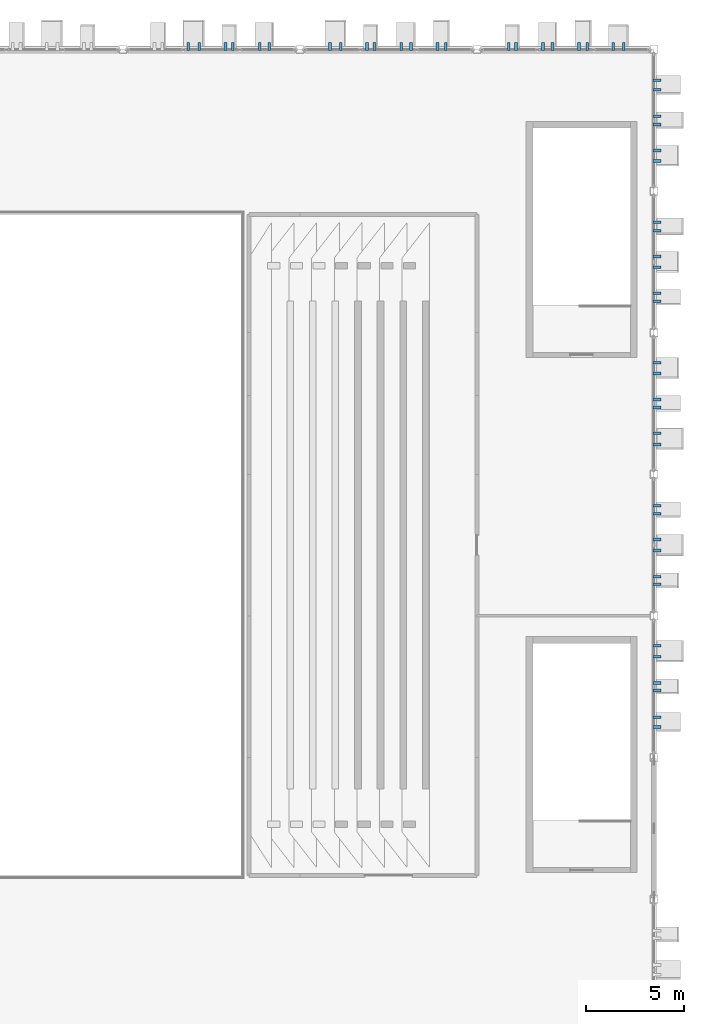
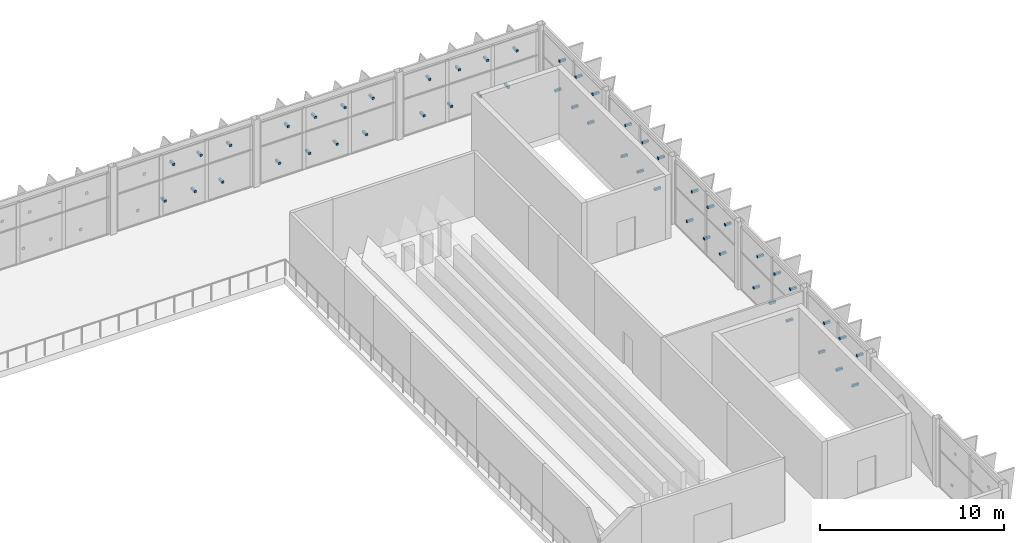
# One storey, part 128 of 151: 52 discrete accessories.
"""IFC4 building model written with IfcOpenShell, lengths in metres."""

from ifc_helpers import new_model, si_unit, direction, frame, origin, origin_2d, place, context, subcontext, project, spatial, rectangle, extrude, material, type_object, element, save


model = new_model("IFC4")

# Units and contexts
model_context = context("Model", 3, precision=1e-05, world=origin(), true_north=direction((0.0, 1.0)))
body_context = subcontext(model_context, "Body", "Model", "MODEL_VIEW")
ifc_project = project(units=[si_unit("LENGTHUNIT", "METRE"), si_unit("AREAUNIT", "SQUARE_METRE"), si_unit("VOLUMEUNIT", "CUBIC_METRE"), si_unit("PLANEANGLEUNIT", "RADIAN"), si_unit("MASSUNIT", "GRAM", prefix="KILO")], contexts=[model_context])

# Site, building, storey
site_placement = place(None, origin())
site = spatial("IfcSite", under=ifc_project, at=site_placement, CompositionType="ELEMENT")
building_placement = place(site_placement, origin())
building = spatial("IfcBuilding", under=site, at=building_placement, Name="Celestram Park Convention Centre", CompositionType="ELEMENT")
storey_placement = place(building_placement, frame((0.0, 0.0, 10.800048828125)))
storey = spatial("IfcBuildingStorey", under=building, at=storey_placement, Name="L02", CompositionType="ELEMENT", Elevation=10.800048828125)

# Discrete accessories
ifc_material = material(Name="Steel ASTM A500 Grade C", Category="steel")
discrete_accessory_type = type_object("IfcDiscreteAccessoryType", Name="ARC-BRK-OUT400", PredefinedType="BRACKET", material=ifc_material)
for number, where, z_axis, x_axis, name in (
    (1, (192.323974609375, 165.75, 0.8779296875), (0.0, 0.0, 1.0), (0.0, 1.0, 0.0), "Solar fin outrigger bracket BK-L02-1041"),
    (2, (192.876220703125, 165.75, 3.1259765625), (0.0, 0.0, 1.0), (0.0, 1.0, 0.0), "Solar fin outrigger bracket BK-L02-1042"),
    (3, (194.21484375, 165.75, 0.859375), (0.0, 0.0, 1.0), (0.0, 1.0, 0.0), "Solar fin outrigger bracket BK-L02-1043"),
    (4, (194.585205078125, 165.75, 3.14453125), (0.0, 0.0, 1.0), (0.0, 1.0, 0.0), "Solar fin outrigger bracket BK-L02-1044"),
    (5, (195.95751953125, 165.75, 0.8701171875), (0.0, 0.0, 1.0), (0.0, 1.0, 0.0), "Solar fin outrigger bracket BK-L02-1045"),
    (6, (196.442626953125, 165.75, 3.1337890625), (0.0, 0.0, 1.0), (0.0, 1.0, 0.0), "Solar fin outrigger bracket BK-L02-1046"),
    (7, (199.52392578125, 165.75, 0.8779296875), (0.0, 0.0, 1.0), (0.0, 1.0, 0.0), "Solar fin outrigger bracket BK-L02-1047"),
    (8, (200.076171875, 165.75, 3.1259765625), (0.0, 0.0, 1.0), (0.0, 1.0, 0.0), "Solar fin outrigger bracket BK-L02-1048"),
    (9, (201.414794921875, 165.75, 0.859375), (0.0, 0.0, 1.0), (0.0, 1.0, 0.0), "Solar fin outrigger bracket BK-L02-1049"),
    (10, (201.78515625, 165.75, 3.14453125), (0.0, 0.0, 1.0), (0.0, 1.0, 0.0), "Solar fin outrigger bracket BK-L02-1050"),
    (11, (203.157470703125, 165.75, 0.8701171875), (0.0, 0.0, 1.0), (0.0, 1.0, 0.0), "Solar fin outrigger bracket BK-L02-1051"),
    (12, (203.642578125, 165.75, 3.1337890625), (0.0, 0.0, 1.0), (0.0, 1.0, 0.0), "Solar fin outrigger bracket BK-L02-1052"),
    (13, (204.990966796875, 165.75, 0.86328125), (0.0, 0.0, 1.0), (0.0, 1.0, 0.0), "Solar fin outrigger bracket BK-L02-1053"),
    (14, (205.408935546875, 165.75, 3.140625), (0.0, 0.0, 1.0), (0.0, 1.0, 0.0), "Solar fin outrigger bracket BK-L02-1054"),
    (15, (208.614990234375, 165.75, 0.859375), (0.0, 0.0, 1.0), (0.0, 1.0, 0.0), "Solar fin outrigger bracket BK-L02-1055"),
    (16, (208.985107421875, 165.75, 3.14453125), (0.0, 0.0, 1.0), (0.0, 1.0, 0.0), "Solar fin outrigger bracket BK-L02-1056"),
    (17, (210.357421875, 165.75, 0.8701171875), (0.0, 0.0, 1.0), (0.0, 1.0, 0.0), "Solar fin outrigger bracket BK-L02-1057"),
    (18, (210.842529296875, 165.75, 3.1337890625), (0.0, 0.0, 1.0), (0.0, 1.0, 0.0), "Solar fin outrigger bracket BK-L02-1058"),
    (19, (212.19091796875, 165.75, 0.86328125), (0.0, 0.0, 1.0), (0.0, 1.0, 0.0), "Solar fin outrigger bracket BK-L02-1059"),
    (20, (212.60888671875, 165.75, 3.140625), (0.0, 0.0, 1.0), (0.0, 1.0, 0.0), "Solar fin outrigger bracket BK-L02-1060"),
    (21, (213.931640625, 165.75, 0.8759765625), (0.0, 0.0, 1.0), (0.0, 1.0, 0.0), "Solar fin outrigger bracket BK-L02-1061"),
    (22, (214.46826171875, 165.75, 3.1279296875), (0.0, 0.0, 1.0), (0.0, 1.0, 0.0), "Solar fin outrigger bracket BK-L02-1062"),
    (23, (216.14990234375, 164.04248046875, 0.8701171875), (0.0, 0.0, 1.0), (1.0, 0.0, 0.0), "Solar fin outrigger bracket BK-L02-1063"),
    (24, (216.14990234375, 163.557373046875, 3.1337890625), (0.0, 0.0, 1.0), (1.0, 0.0, 0.0), "Solar fin outrigger bracket BK-L02-1064"),
    (25, (216.14990234375, 162.208984375, 0.86328125), (0.0, 0.0, 1.0), (1.0, 0.0, 0.0), "Solar fin outrigger bracket BK-L02-1065"),
    (26, (216.14990234375, 161.791015625, 3.140625), (0.0, 0.0, 1.0), (1.0, 0.0, 0.0), "Solar fin outrigger bracket BK-L02-1066"),
    (27, (216.14990234375, 160.46826171875, 0.8759765625), (0.0, 0.0, 1.0), (1.0, 0.0, 0.0), "Solar fin outrigger bracket BK-L02-1067"),
    (28, (216.14990234375, 159.931640625, 3.1279296875), (0.0, 0.0, 1.0), (1.0, 0.0, 0.0), "Solar fin outrigger bracket BK-L02-1068"),
    (29, (216.14990234375, 156.812744140625, 0.88037109375), (0.0, 0.0, 1.0), (1.0, 0.0, 0.0), "Solar fin outrigger bracket BK-L02-1069"),
    (30, (216.14990234375, 156.38720703125, 3.19921875), (0.0, 0.0, 1.0), (1.0, 0.0, 0.0), "Solar fin outrigger bracket BK-L02-1070"),
    (31, (216.14990234375, 155.0732421875, 0.89306640625), (0.0, 0.0, 1.0), (1.0, 0.0, 0.0), "Solar fin outrigger bracket BK-L02-1071"),
    (32, (216.14990234375, 154.52685546875, 3.1865234375), (0.0, 0.0, 1.0), (1.0, 0.0, 0.0), "Solar fin outrigger bracket BK-L02-1072"),
    (33, (216.14990234375, 153.20068359375, 0.87841796875), (0.0, 0.0, 1.0), (1.0, 0.0, 0.0), "Solar fin outrigger bracket BK-L02-1073"),
    (34, (216.14990234375, 152.79931640625, 3.20166015625), (0.0, 0.0, 1.0), (1.0, 0.0, 0.0), "Solar fin outrigger bracket BK-L02-1074"),
    (35, (216.14990234375, 149.673095703125, 0.89306640625), (0.0, 0.0, 1.0), (1.0, 0.0, 0.0), "Solar fin outrigger bracket BK-L02-1075"),
    (36, (216.14990234375, 149.126708984375, 3.1865234375), (0.0, 0.0, 1.0), (1.0, 0.0, 0.0), "Solar fin outrigger bracket BK-L02-1076"),
    (37, (216.14990234375, 147.800537109375, 0.87841796875), (0.0, 0.0, 1.0), (1.0, 0.0, 0.0), "Solar fin outrigger bracket BK-L02-1077"),
    (38, (216.14990234375, 147.3994140625, 3.20166015625), (0.0, 0.0, 1.0), (1.0, 0.0, 0.0), "Solar fin outrigger bracket BK-L02-1078"),
    (39, (216.14990234375, 146.081298828125, 0.89501953125), (0.0, 0.0, 1.0), (1.0, 0.0, 0.0), "Solar fin outrigger bracket BK-L02-1079"),
    (40, (216.14990234375, 145.518798828125, 3.1845703125), (0.0, 0.0, 1.0), (1.0, 0.0, 0.0), "Solar fin outrigger bracket BK-L02-1080"),
    (41, (216.14990234375, 142.400634765625, 0.87841796875), (0.0, 0.0, 1.0), (1.0, 0.0, 0.0), "Solar fin outrigger bracket BK-L02-1081"),
    (42, (216.14990234375, 141.99951171875, 3.20166015625), (0.0, 0.0, 1.0), (1.0, 0.0, 0.0), "Solar fin outrigger bracket BK-L02-1082"),
    (43, (216.14990234375, 140.68115234375, 0.89501953125), (0.0, 0.0, 1.0), (1.0, 0.0, 0.0), "Solar fin outrigger bracket BK-L02-1083"),
    (44, (216.14990234375, 140.118896484375, 3.1845703125), (0.0, 0.0, 1.0), (1.0, 0.0, 0.0), "Solar fin outrigger bracket BK-L02-1084"),
    (45, (216.14990234375, 138.78857421875, 0.87646484375), (0.0, 0.0, 1.0), (1.0, 0.0, 0.0), "Solar fin outrigger bracket BK-L02-1085"),
    (46, (216.14990234375, 138.41162109375, 3.20361328125), (0.0, 0.0, 1.0), (1.0, 0.0, 0.0), "Solar fin outrigger bracket BK-L02-1086"),
    (47, (216.14990234375, 135.28125, 0.89501953125), (0.0, 0.0, 1.0), (1.0, 0.0, 0.0), "Solar fin outrigger bracket BK-L02-1087"),
    (48, (216.14990234375, 134.71875, 3.1845703125), (0.0, 0.0, 1.0), (1.0, 0.0, 0.0), "Solar fin outrigger bracket BK-L02-1088"),
    (49, (216.14990234375, 133.388427734375, 0.87646484375), (0.0, 0.0, 1.0), (1.0, 0.0, 0.0), "Solar fin outrigger bracket BK-L02-1089"),
    (50, (216.14990234375, 133.011474609375, 3.20361328125), (0.0, 0.0, 1.0), (1.0, 0.0, 0.0), "Solar fin outrigger bracket BK-L02-1090"),
    (51, (216.14990234375, 131.647216796875, 0.88720703125), (0.0, 0.0, 1.0), (1.0, 0.0, 0.0), "Solar fin outrigger bracket BK-L02-1091"),
    (52, (216.14990234375, 131.15283203125, 3.1923828125), (0.0, 0.0, 1.0), (1.0, 0.0, 0.0), "Solar fin outrigger bracket BK-L02-1092"),
):
    element("IfcDiscreteAccessory", number, at=place(storey_placement, frame(where, z_axis=z_axis, x_axis=x_axis)), inside=storey, type_object=discrete_accessory_type, Name=name, PredefinedType="BRACKET", context=body_context, shape_type="SweptSolid", body=[
        extrude(rectangle(XDim=0.39990234375, YDim=0.139892578125, at=origin_2d()), origin(), (0.0, 0.0, 1.0), 0.139892578125),
    ])

save(model, "model.ifc")
